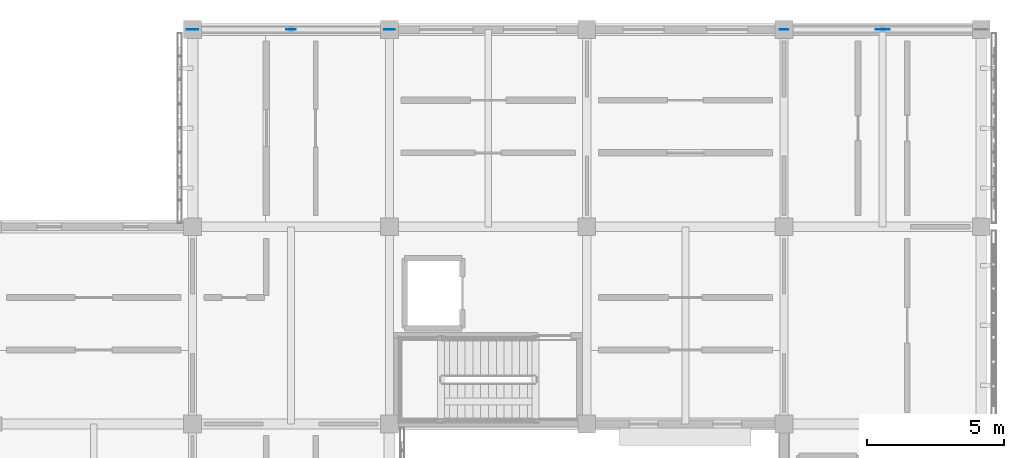
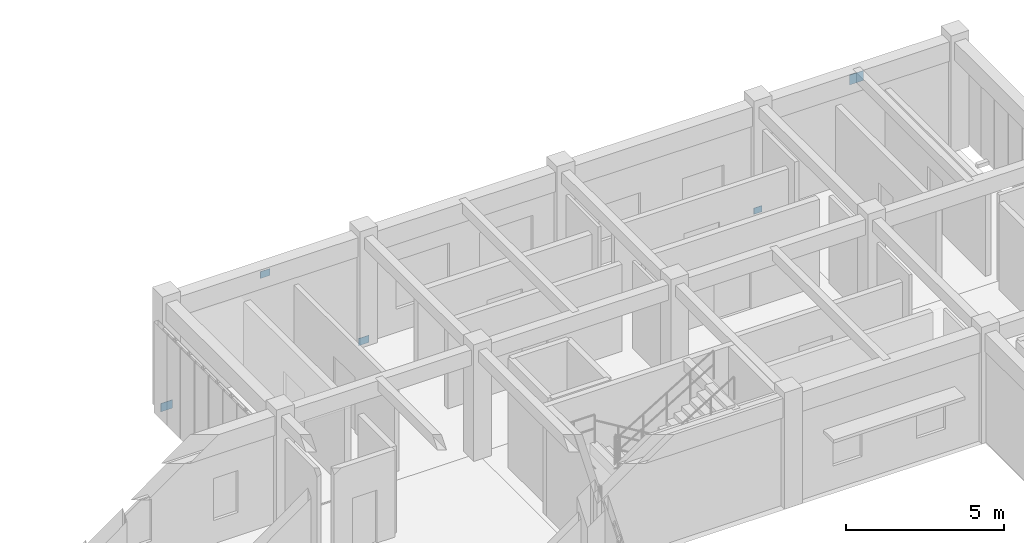
# One storey, part 117 of 171: 5 plates.
"""IFC4 building model written with IfcOpenShell, lengths in metres."""

from ifc_helpers import new_model, si_unit, direction, frame, origin, origin_2d, place, context, subcontext, project, spatial, rectangle, extrude, material, layer, layer_set, type_object, element, save


model = new_model("IFC4")

# Units and contexts
model_context = context("Model", 3, precision=1e-05, world=origin(), true_north=direction((0.0, 1.0)))
body_context = subcontext(model_context, "Body", "Model", "MODEL_VIEW")
ifc_project = project(units=[si_unit("LENGTHUNIT", "METRE"), si_unit("AREAUNIT", "SQUARE_METRE"), si_unit("VOLUMEUNIT", "CUBIC_METRE"), si_unit("PLANEANGLEUNIT", "RADIAN"), si_unit("MASSUNIT", "GRAM", prefix="KILO")], contexts=[model_context])

# Site, building, storey
site_placement = place(None, origin())
site = spatial("IfcSite", under=ifc_project, at=site_placement, CompositionType="ELEMENT")
building_placement = place(site_placement, origin())
building = spatial("IfcBuilding", under=site, at=building_placement, Name="Aldebral Square Health Centre", CompositionType="ELEMENT")
storey_placement = place(building_placement, frame((0.0, 0.0, 4.5)))
storey = spatial("IfcBuildingStorey", under=building, at=storey_placement, Name="L01", CompositionType="ELEMENT", Elevation=4.5)

# Plates
ifc_material = material(Name="Steel S355JR", Category="steel")
ifc_layer_1 = layer(ifc_material, 0.01611328125, Name="Steel S355JR", Category="steel")
ifc_layer_set_1 = layer_set([ifc_layer_1], Name="Steel S355JR")
plate_type_1 = type_object("IfcPlateType", Name="PL-GUS-1", PredefinedType="USERDEFINED", material=ifc_layer_set_1)
plate_1_placement = place(storey_placement, frame((136.800048828125, 115.199951171875, -0.16015625), z_axis=(0.0, 0.0, 1.0), x_axis=(1.0, 0.0, 0.0)))
element("IfcPlate", 1, at=plate_1_placement, inside=storey, type_object=plate_type_1, Name="L01 north chevron brace 20 west base gusset plate", ObjectType="GUSSET_PLATE", PredefinedType="USERDEFINED", context=body_context, shape_type="SweptSolid", body=[
    extrude(rectangle(XDim=0.419921875, YDim=0.01611328125, at=origin_2d()), origin(), (0.0, 0.0, 1.0), 0.320068359375),
])
ifc_layer_2 = layer(ifc_material, 0.01611328125, Name="Steel S355JR", Category="steel")
ifc_layer_set_2 = layer_set([ifc_layer_2], Name="Steel S355JR")
plate_type_2 = type_object("IfcPlateType", Name="PL-GUS-2", PredefinedType="USERDEFINED", material=ifc_layer_set_2)
plate_2_placement = place(storey_placement, frame((144.0, 115.199951171875, -0.14013671875), z_axis=(0.0, 0.0, 1.0), x_axis=(1.0, 0.0, 0.0)))
element("IfcPlate", 2, at=plate_2_placement, inside=storey, type_object=plate_type_2, Name="L01 north chevron brace 20 east base gusset plate", ObjectType="GUSSET_PLATE", PredefinedType="USERDEFINED", context=body_context, shape_type="SweptSolid", body=[
    extrude(rectangle(XDim=0.3798828125, YDim=0.01611328125, at=origin_2d()), origin(), (0.0, 0.0, 1.0), 0.280029296875),
])
ifc_layer_3 = layer(ifc_material, 0.013916015625, Name="Steel S355JR", Category="steel")
ifc_layer_set_3 = layer_set([ifc_layer_3], Name="Steel S355JR")
plate_type_3 = type_object("IfcPlateType", Name="PL-GUS-3", PredefinedType="USERDEFINED", material=ifc_layer_set_3)
plate_3_placement = place(storey_placement, frame((140.39990234375, 115.199951171875, 3.71484375), z_axis=(0.0, 0.0, 1.0), x_axis=(1.0, 0.0, 0.0)))
element("IfcPlate", 3, at=plate_3_placement, inside=storey, type_object=plate_type_3, Name="L01 north chevron brace 20 apex gusset plate", ObjectType="GUSSET_PLATE", PredefinedType="USERDEFINED", context=body_context, shape_type="SweptSolid", body=[
    extrude(rectangle(XDim=0.340087890625, YDim=0.013916015625, at=origin_2d()), origin(), (0.0, 0.0, 1.0), 0.260009765625),
])
ifc_layer_4 = layer(ifc_material, 0.013916015625, Name="Steel S355JR", Category="steel")
ifc_layer_set_4 = layer_set([ifc_layer_4], Name="Steel S355JR")
plate_type_4 = type_object("IfcPlateType", Name="PL-GUS-4", PredefinedType="USERDEFINED", material=ifc_layer_set_4)
plate_4_placement = place(storey_placement, frame((158.39990234375, 115.199951171875, -0.1201171875), z_axis=(0.0, 0.0, 1.0), x_axis=(1.0, 0.0, 0.0)))
element("IfcPlate", 4, at=plate_4_placement, inside=storey, type_object=plate_type_4, Name="L01 north chevron brace 23 west base gusset plate", ObjectType="GUSSET_PLATE", PredefinedType="USERDEFINED", context=body_context, shape_type="SweptSolid", body=[
    extrude(rectangle(XDim=0.300048828125, YDim=0.013916015625, at=origin_2d()), origin(), (0.0, 0.0, 1.0), 0.239990234375),
])
ifc_layer_5 = layer(ifc_material, 0.02001953125, Name="Steel S355JR", Category="steel")
ifc_layer_set_5 = layer_set([ifc_layer_5], Name="Steel S355JR")
plate_type_5 = type_object("IfcPlateType", Name="PL-GUS-6", PredefinedType="USERDEFINED", material=ifc_layer_set_5)
plate_5_placement = place(storey_placement, frame((162.0, 115.199951171875, 3.655029296875), z_axis=(0.0, 0.0, 1.0), x_axis=(1.0, 0.0, 0.0)))
element("IfcPlate", 5, at=plate_5_placement, inside=storey, type_object=plate_type_5, Name="L01 north chevron brace 23 apex gusset plate", ObjectType="GUSSET_PLATE", PredefinedType="USERDEFINED", context=body_context, shape_type="SweptSolid", body=[
    extrude(rectangle(XDim=0.5, YDim=0.02001953125, at=origin_2d()), origin(), (0.0, 0.0, 1.0), 0.3798828125),
])

save(model, "model.ifc")
